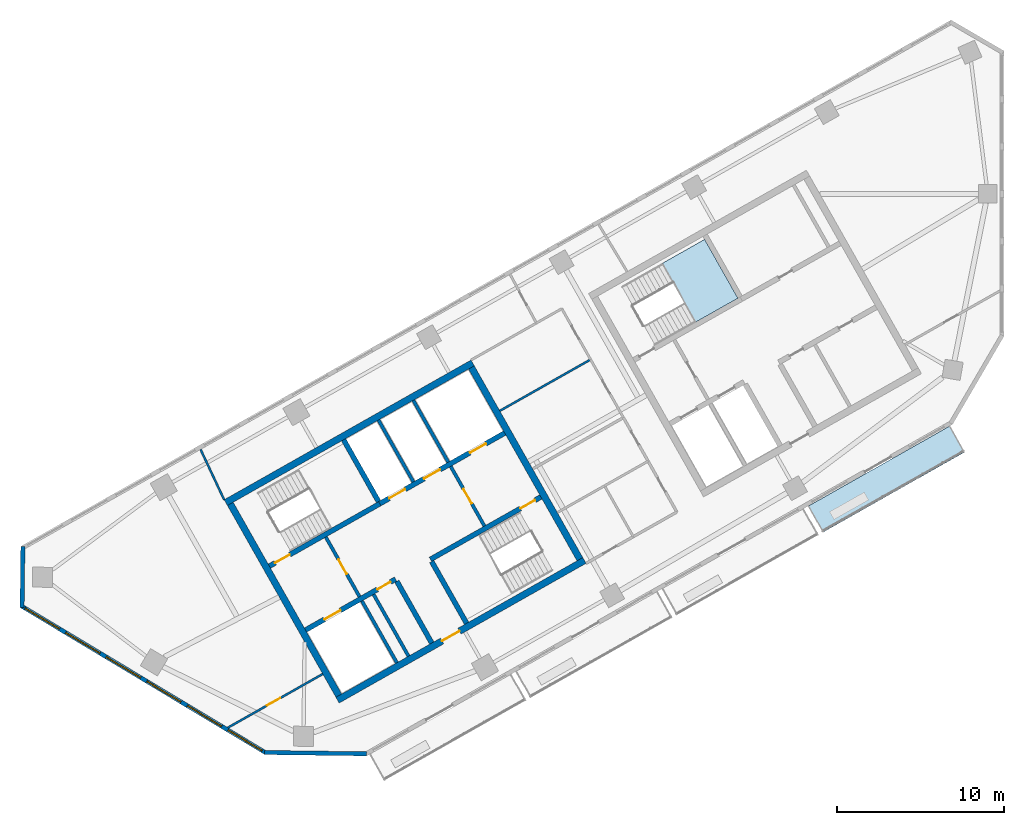
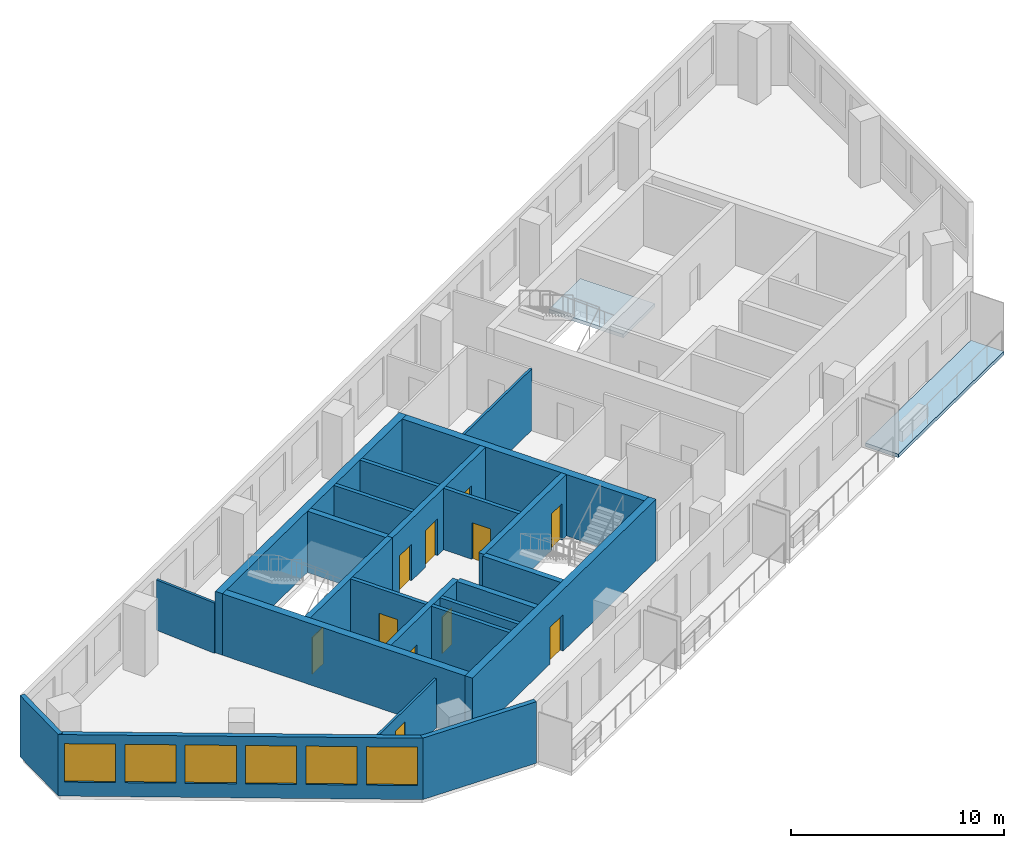
# One storey, part 2 of 7: 23 walls, 11 doors, 6 windows, 2 slabs, 17 openings, 1 element without a shape of its own.
"""IFC4 building model written with IfcOpenShell, lengths in metres."""

import ifcopenshell
import ifcopenshell.guid

model = None  # the IFC model being written
_history = None  # IfcOwnerHistory: only IFC2X3 demands one
_inside = {}  # id of a spatial element -> (the spatial element, [elements in it])
_under = {}  # id of a project, library or spatial element -> (it, [spatial elements below it])
_declared = {}  # id of a project -> (the project, [libraries it declares])
_typed = {}  # id of a type object -> (the type object, [elements of that type])
_made_of = {}  # id of a material, layer set ... -> (it, [elements and type objects made of it])


def new_model(schema):
    """Start an empty IFC model of exactly this schema.

    Asked for "IFC4X3", IfcOpenShell would pick the latest addendum, in which some entities
    have other attributes; the version numbers below select the first issue.
    IFC2X3 requires an IfcOwnerHistory on every rooted entity: one is made here for all.
    """
    global model, _history
    if schema == "IFC4X3":
        model = ifcopenshell.file(schema_version=(4, 3, 0, 0))
    else:
        model = ifcopenshell.file(schema=schema)
    _inside.clear()
    _under.clear()
    _declared.clear()
    _typed.clear()
    _made_of.clear()
    _history = None
    if model.schema == "IFC2X3":
        org = make("IfcOrganization", Name="unknown")
        user = make(
            "IfcPersonAndOrganization",
            ThePerson=make("IfcPerson", FamilyName="unknown"),
            TheOrganization=org,
        )
        app = make(
            "IfcApplication",
            ApplicationDeveloper=org,
            Version="unknown",
            ApplicationFullName="unknown",
            ApplicationIdentifier="unknown",
        )
        _history = make(
            "IfcOwnerHistory",
            OwningUser=user,
            OwningApplication=app,
            ChangeAction="ADDED",
            CreationDate=0,
        )
    return model


def make(cls, **values):
    """One entity of the class cls with the attributes given. An attribute that is None is left unset."""
    return model.create_entity(
        cls, **{name: value for name, value in values.items() if value is not None}
    )


def rooted(cls, **values):
    """An entity with a GlobalId (a new one), such as an element, a storey or a relation."""
    return make(cls, GlobalId=ifcopenshell.guid.new(), OwnerHistory=_history, **values)


def si_unit(unit_type, name, prefix=None):
    """IfcSIUnit, for example si_unit("LENGTHUNIT", "METRE", prefix="MILLI")."""
    return make("IfcSIUnit", UnitType=unit_type, Prefix=prefix, Name=name)


def assignment(units):
    """IfcUnitAssignment: the units of a project."""
    return None if units is None else make("IfcUnitAssignment", Units=units)


def point(xyz):
    """IfcCartesianPoint."""
    return None if xyz is None else make("IfcCartesianPoint", Coordinates=xyz)


def direction(xyz):
    """IfcDirection."""
    return None if xyz is None else make("IfcDirection", DirectionRatios=xyz)


def frame(location, z_axis=None, x_axis=None):
    """IfcAxis2Placement3D, a coordinate frame: its origin and axes. An axis left out is left unset."""
    return make(
        "IfcAxis2Placement3D",
        Location=point(location),
        Axis=direction(z_axis),
        RefDirection=direction(x_axis),
    )


def frame_2d(location, x_axis=None):
    """IfcAxis2Placement2D, a coordinate frame in the plane: its origin and x axis."""
    return make(
        "IfcAxis2Placement2D", Location=point(location), RefDirection=direction(x_axis)
    )


def origin():
    """The frame at (0, 0, 0) with its axes left unset."""
    return frame((0.0, 0.0, 0.0))


def place(relative_to, where):
    """IfcLocalPlacement: puts the frame where relative to a parent placement (None: the world)."""
    return make(
        "IfcLocalPlacement", PlacementRelTo=relative_to, RelativePlacement=where
    )


def context(
    kind, dimensions, precision=None, world=None, true_north=None, identifier=None
):
    """IfcGeometricRepresentationContext, for example the 3D "Model" context."""
    return make(
        "IfcGeometricRepresentationContext",
        ContextIdentifier=identifier,
        ContextType=kind,
        CoordinateSpaceDimension=dimensions,
        Precision=precision,
        WorldCoordinateSystem=world,
        TrueNorth=true_north,
    )


def subcontext(parent, identifier, kind, view, scale=None):
    """IfcGeometricRepresentationSubContext, for example "Body" below "Model"."""
    return make(
        "IfcGeometricRepresentationSubContext",
        ContextIdentifier=identifier,
        ContextType=kind,
        ParentContext=parent,
        TargetScale=scale,
        TargetView=view,
    )


def project(units=None, contexts=None):
    """IfcProject with its units and contexts."""
    return rooted(
        "IfcProject",
        Name="project",
        RepresentationContexts=contexts,
        UnitsInContext=assignment(units),
    )


def spatial(cls, under=None, at=None, **own):
    """A site, building, storey or space (cls), placed at a placement, below another one or the project."""
    s = rooted(cls, ObjectPlacement=at, **own)
    if under is not None:
        _under.setdefault(under.id(), (under, []))[1].append(s)
    return s


def polyline(points):
    """IfcPolyline through the points."""
    return make("IfcPolyline", Points=[point(p) for p in points])


def profile(cls, at=None, kind="AREA", **sizes):
    """A parametric profile (cls). Its sizes go by their IFC names, for example OverallWidth=200.0."""
    return make(cls, ProfileType=kind, Position=at, **sizes)


def rectangle(**sizes):
    """IfcRectangleProfileDef."""
    return profile("IfcRectangleProfileDef", **sizes)


def outline(outer, holes=None, kind="AREA"):
    """IfcArbitraryClosedProfileDef: a profile drawn as a closed curve; with holes, ...WithVoids."""
    if holes is None:
        return make("IfcArbitraryClosedProfileDef", ProfileType=kind, OuterCurve=outer)
    return make(
        "IfcArbitraryProfileDefWithVoids",
        ProfileType=kind,
        OuterCurve=outer,
        InnerCurves=holes,
    )


def extrude(swept, where, along, depth):
    """IfcExtrudedAreaSolid: the profile swept, set in the frame where, extruded along a direction by depth."""
    return make(
        "IfcExtrudedAreaSolid",
        SweptArea=swept,
        Position=where,
        ExtrudedDirection=direction(along),
        Depth=depth,
    )


def shape(context_of_items, identifier, shape_type, items):
    """IfcShapeRepresentation: the items that make up one representation, for example the "Body"."""
    return make(
        "IfcShapeRepresentation",
        ContextOfItems=context_of_items,
        RepresentationIdentifier=identifier,
        RepresentationType=shape_type,
        Items=items,
    )


def material(Name=None, Category=None):
    """IfcMaterial."""
    return make("IfcMaterial", Name=Name, Category=Category)


def layer(
    of_material, thickness, ventilated=None, Name=None, Category=None, Priority=None
):
    """IfcMaterialLayer: one layer of a wall or slab, of a material (None: an air gap)."""
    return make(
        "IfcMaterialLayer",
        Material=of_material,
        LayerThickness=thickness,
        IsVentilated=ventilated,
        Name=Name,
        Category=Category,
        Priority=Priority,
    )


def layer_set(layers, Name=None):
    """IfcMaterialLayerSet."""
    return make("IfcMaterialLayerSet", MaterialLayers=layers, LayerSetName=Name)


def made_of(thing, what):
    """Note that an element or type object is made of a material, layer set ...; save() writes the relation."""
    if what is not None:
        _made_of.setdefault(what.id(), (what, []))[1].append(thing)
    return thing


def type_object(cls, material=None, **own):
    """A type object (cls), such as IfcWallType, which elements share."""
    return made_of(rooted(cls, **own), material)


def element(
    cls,
    number,
    at=None,
    inside=None,
    cuts=None,
    type_object=None,
    material=None,
    context=None,
    identifier="Body",
    shape_type=None,
    held_by="IfcProductDefinitionShape",
    body=None,
    shapes=None,
    **own,
):
    """One element of the class cls, such as IfcWall. Its Tag is "e" and its number.

    at: its placement. inside: the storey or other place that contains it. cuts: it is an
    opening in that element (IfcRelVoidsElement). A single representation is given by context,
    identifier, shape_type and body (its items); several are given by shapes. held_by: the class
    of the entity that holds the representations. save() writes the other relations.
    """
    e = rooted(cls, Tag="e%d" % number, ObjectPlacement=at, **own)
    if body is not None:
        shapes = [shape(context, identifier, shape_type, body)]
    if shapes is not None:
        e.Representation = make(held_by, Representations=shapes)
    if inside is not None:
        _inside.setdefault(inside.id(), (inside, []))[1].append(e)
    if cuts is not None:
        rooted(
            "IfcRelVoidsElement", RelatingBuildingElement=cuts, RelatedOpeningElement=e
        )
    if type_object is not None:
        _typed.setdefault(type_object.id(), (type_object, []))[1].append(e)
    return made_of(e, material)


def fill(opening, filler):
    """IfcRelFillsElement: the door or window that sits in an opening."""
    return rooted(
        "IfcRelFillsElement",
        RelatingOpeningElement=opening,
        RelatedBuildingElement=filler,
    )


def aggregate(whole, parts):
    """IfcRelAggregates: a whole, such as a stair, and the parts it consists of."""
    return rooted("IfcRelAggregates", RelatingObject=whole, RelatedObjects=parts)


def save(model, path):
    """Write the relations noted so far, then the file.

    IfcRelAggregates (storeys below a building ...), IfcRelContainedInSpatialStructure (elements
    in a storey), IfcRelDefinesByType, IfcRelAssociatesMaterial and IfcRelDeclares: one each for
    every whole, place, type object, material and project.
    """
    for whole, parts in _under.values():
        aggregate(whole, parts)
    for where, things in _inside.values():
        rooted(
            "IfcRelContainedInSpatialStructure",
            RelatedElements=things,
            RelatingStructure=where,
        )
    for kind, things in _typed.values():
        rooted("IfcRelDefinesByType", RelatedObjects=things, RelatingType=kind)
    for what, things in _made_of.values():
        rooted("IfcRelAssociatesMaterial", RelatedObjects=things, RelatingMaterial=what)
    for by, libraries in _declared.values():
        rooted("IfcRelDeclares", RelatingContext=by, RelatedDefinitions=libraries)
    model.write(path)


model = new_model("IFC4")

# Units and contexts
model_context = context("Model", 3, precision=1e-05, world=origin(), true_north=direction((0.0, 1.0)))
body_context = subcontext(model_context, "Body", "Model", "MODEL_VIEW")
ifc_project = project(units=[si_unit("LENGTHUNIT", "METRE"), si_unit("AREAUNIT", "SQUARE_METRE"), si_unit("VOLUMEUNIT", "CUBIC_METRE"), si_unit("PLANEANGLEUNIT", "RADIAN"), si_unit("MASSUNIT", "GRAM", prefix="KILO")], contexts=[model_context])

# Site, building, storey
site_placement = place(None, origin())
site = spatial("IfcSite", under=ifc_project, at=site_placement, CompositionType="ELEMENT")
building_placement = place(site_placement, origin())
building = spatial("IfcBuilding", under=site, at=building_placement, Name="Binnacle Exchange Tower", CompositionType="ELEMENT")
storey_placement = place(building_placement, frame((0.0, 0.0, 266.5)))
storey = spatial("IfcBuildingStorey", under=building, at=storey_placement, Name="L59", CompositionType="ELEMENT", Elevation=266.5)

# Slab
ifc_material_1 = material(Name="Concrete C35/45", Category="concrete")
ifc_layer_1 = layer(ifc_material_1, 0.199951171875)
ifc_layer_set_1 = layer_set([ifc_layer_1], Name="BALCONY SLAB 200")
slab_type_1 = type_object("IfcSlabType", Name="BALCONY SLAB 200", PredefinedType="FLOOR", material=ifc_layer_set_1)
slab_1_placement = place(storey_placement, frame((0.0, 0.0, -0.199951171875)))
element("IfcSlab", 1, at=slab_1_placement, inside=storey, type_object=slab_type_1, Name="Balcony BA-H07-03 L59", PredefinedType="FLOOR", context=body_context, shape_type="SweptSolid", body=[
    extrude(outline(polyline([(-11.616943359375, 41.28369140625), (-3.115234375, 46.093994140625), (-2.22900390625, 44.527099609375), (-10.730712890625, 39.717041015625), (-11.616943359375, 41.28369140625)])), origin(), (0.0, 0.0, 1.0), 0.199951171875),
])

# Stair, slab
stair_type = type_object("IfcStairType", Name="STAIR 22 RISERS 173", PredefinedType="HALF_TURN_STAIR", material=ifc_material_1)
stair_placement = place(storey_placement, origin())
stair = element("IfcStair", 2, at=stair_placement, inside=storey, type_object=stair_type, Name="L59 Escape stair C1", PredefinedType="HALF_TURN_STAIR")
ifc_layer_2 = layer(ifc_material_1, 0.199951171875)
ifc_layer_set_2 = layer_set([ifc_layer_2], Name="STAIR LANDING 200")
slab_type_2 = type_object("IfcSlabType", Name="STAIR LANDING 200", PredefinedType="LANDING", material=ifc_layer_set_2)
slab_2_placement = place(storey_placement, frame((0.0, 0.0, 1.699951171875)))
slab_2 = element("IfcSlab", 3, at=slab_2_placement, type_object=slab_type_2, Name="STC1 landing 1", PredefinedType="LANDING", context=body_context, shape_type="SweptSolid", body=[
    extrude(outline(polyline([(-18.364013671875, 52.31005859375), (-15.822509765625, 53.748046875), (-17.81689453125, 57.27294921875), (-20.3583984375, 55.8349609375), (-18.364013671875, 52.31005859375)])), origin(), (0.0, 0.0, 1.0), 0.199951171875),
])
aggregate(stair, [slab_2])

# Wall, openings, doors
ifc_material_2 = material(Name="Concrete C70/85", Category="concrete")
ifc_layer_3 = layer(ifc_material_2, 0.300048828125)
ifc_layer_set_3 = layer_set([ifc_layer_3], Name="Core wall - front 300")
wall_type_1 = type_object("IfcWallType", Name="Core wall - front 300", PredefinedType="SOLIDWALL", material=ifc_layer_set_3)
wall_1_placement = place(storey_placement, frame((-41.72998046875, 33.862548828125, 0.0), z_axis=(0.0, 0.0, 1.0), x_axis=(0.870350800578, 0.492432212525, 0.0)))
wall_1 = element("IfcWall", 4, at=wall_1_placement, inside=storey, type_object=wall_type_1, Name="Core wall CRWA2", PredefinedType="SOLIDWALL", context=body_context, shape_type="SweptSolid", body=[
    extrude(rectangle(XDim=6.19970703125, YDim=0.300048828125, at=frame_2d((3.099853515625, 0.0))), origin(), (0.0, 0.0, 1.0), 3.52001953125),
])
opening_1_placement = place(wall_1_placement, frame((1.300048828125, 0.0, 0.0)))
opening_1 = element("IfcOpeningElement", 5, at=opening_1_placement, cuts=wall_1, Name="Opening LD12", PredefinedType="OPENING", context=body_context, shape_type="SweptSolid", body=[
    extrude(rectangle(XDim=1.10009765625, YDim=2.10009765625, at=frame_2d((0.550048828125, 1.050048828125))), frame((0.0, 0.159912109375, 0.0), z_axis=(0.0, -1.0, 0.0), x_axis=(1.0, 0.0, 0.0)), (0.0, 0.0, 1.0), 0.320068359375),
])
opening_2_placement = place(wall_1_placement, frame((4.949951171875, 0.0, 0.0)))
opening_2 = element("IfcOpeningElement", 6, at=opening_2_placement, cuts=wall_1, Name="Opening DA14", PredefinedType="OPENING", context=body_context, shape_type="SweptSolid", body=[
    extrude(rectangle(XDim=0.89990234375, YDim=2.10009765625, at=frame_2d((0.449951171875, 1.050048828125))), frame((0.0, 0.159912109375, 0.0), z_axis=(0.0, -1.0, 0.0), x_axis=(1.0, 0.0, 0.0)), (0.0, 0.0, 1.0), 0.320068359375),
])
ifc_material_3 = material(Name="Steel door leaf", Category="steel")
door_type_1 = type_object("IfcDoorType", Name="Fire door - lift landing 1100", OperationType="NOTDEFINED", PredefinedType="DOOR", material=ifc_material_3)
door_1_placement = place(opening_1_placement, origin())
door_1 = element("IfcDoor", 7, at=door_1_placement, inside=storey, type_object=door_type_1, Name="Landing door LD12 L59", OperationType="DOUBLE_DOOR_SLIDING", OverallHeight=2.10009765625, OverallWidth=1.10009765625, PredefinedType="DOOR", context=body_context, shape_type="SweptSolid", body=[
    extrude(rectangle(XDim=1.10009765625, YDim=2.10009765625, at=frame_2d((0.550048828125, 1.050048828125))), frame((0.0, 0.02490234375, 0.0), z_axis=(0.0, -1.0, 0.0), x_axis=(1.0, 0.0, 0.0)), (0.0, 0.0, 1.0), 0.050048828125),
])
fill(opening_1, door_1)
door_type_2 = type_object("IfcDoorType", Name="Fire door 900", OperationType="NOTDEFINED", PredefinedType="DOOR", material=ifc_material_3)
door_2_placement = place(opening_2_placement, frame((0.89990234375, 0.0, 0.0), z_axis=(0.0, 0.0, 1.0), x_axis=(-1.0, 0.0, 0.0)))
door_2 = element("IfcDoor", 8, at=door_2_placement, inside=storey, type_object=door_type_2, Name="Core room door CLEANERS STORE", OperationType="SINGLE_SWING_LEFT", OverallHeight=2.10009765625, OverallWidth=0.89990234375, PredefinedType="DOOR", context=body_context, shape_type="SweptSolid", body=[
    extrude(rectangle(XDim=0.89990234375, YDim=2.10009765625, at=frame_2d((0.449951171875, 1.050048828125))), frame((0.0, 0.02490234375, 0.0), z_axis=(0.0, -1.0, 0.0), x_axis=(1.0, 0.0, 0.0)), (0.0, 0.0, 1.0), 0.050048828125),
])
fill(opening_2, door_2)

wall_2_placement = place(storey_placement, frame((-37.281982421875, 41.4345703125, 0.0), z_axis=(0.0, 0.0, 1.0), x_axis=(0.870361315115, 0.492413628113, 0.0)))
wall_2 = element("IfcWall", 9, at=wall_2_placement, inside=storey, type_object=wall_type_1, Name="Core wall CRWA5", PredefinedType="SOLIDWALL", context=body_context, shape_type="SweptSolid", body=[
    extrude(rectangle(XDim=8.599609375, YDim=0.300048828125, at=frame_2d((4.2998046875, 0.0))), origin(), (0.0, 0.0, 1.0), 3.52001953125),
])
opening_3_placement = place(wall_2_placement, frame((0.650146484375, 0.0, 0.0)))
opening_3 = element("IfcOpeningElement", 10, at=opening_3_placement, cuts=wall_2, Name="Opening LD9", PredefinedType="OPENING", context=body_context, shape_type="SweptSolid", body=[
    extrude(rectangle(XDim=1.10009765625, YDim=2.10009765625, at=frame_2d((0.550048828125, 1.050048828125))), frame((0.0, 0.159912109375, 0.0), z_axis=(0.0, -1.0, 0.0), x_axis=(1.0, 0.0, 0.0)), (0.0, 0.0, 1.0), 0.320068359375),
])
opening_4_placement = place(wall_2_placement, frame((3.050048828125, 0.0, 0.0)))
opening_4 = element("IfcOpeningElement", 11, at=opening_4_placement, cuts=wall_2, Name="Opening LD10", PredefinedType="OPENING", context=body_context, shape_type="SweptSolid", body=[
    extrude(rectangle(XDim=1.10009765625, YDim=2.10009765625, at=frame_2d((0.550048828125, 1.050048828125))), frame((0.0, 0.159912109375, 0.0), z_axis=(0.0, -1.0, 0.0), x_axis=(1.0, 0.0, 0.0)), (0.0, 0.0, 1.0), 0.320068359375),
])
opening_5_placement = place(wall_2_placement, frame((6.199951171875, 0.0, 0.0)))
opening_5 = element("IfcOpeningElement", 12, at=opening_5_placement, cuts=wall_2, Name="Opening LD13", PredefinedType="OPENING", context=body_context, shape_type="SweptSolid", body=[
    extrude(rectangle(XDim=1.10009765625, YDim=2.10009765625, at=frame_2d((0.550048828125, 1.050048828125))), frame((0.0, 0.159912109375, 0.0), z_axis=(0.0, -1.0, 0.0), x_axis=(1.0, 0.0, 0.0)), (0.0, 0.0, 1.0), 0.320068359375),
])
door_3_placement = place(opening_3_placement, origin())
door_3 = element("IfcDoor", 13, at=door_3_placement, inside=storey, type_object=door_type_1, Name="Landing door LD9 L59", OperationType="DOUBLE_DOOR_SLIDING", OverallHeight=2.10009765625, OverallWidth=1.10009765625, PredefinedType="DOOR", context=body_context, shape_type="SweptSolid", body=[
    extrude(rectangle(XDim=1.10009765625, YDim=2.10009765625, at=frame_2d((0.550048828125, 1.050048828125))), frame((0.0, 0.02490234375, 0.0), z_axis=(0.0, -1.0, 0.0), x_axis=(1.0, 0.0, 0.0)), (0.0, 0.0, 1.0), 0.050048828125),
])
fill(opening_3, door_3)
door_4_placement = place(opening_4_placement, origin())
door_4 = element("IfcDoor", 14, at=door_4_placement, inside=storey, type_object=door_type_1, Name="Landing door LD10 L59", OperationType="DOUBLE_DOOR_SLIDING", OverallHeight=2.10009765625, OverallWidth=1.10009765625, PredefinedType="DOOR", context=body_context, shape_type="SweptSolid", body=[
    extrude(rectangle(XDim=1.10009765625, YDim=2.10009765625, at=frame_2d((0.550048828125, 1.050048828125))), frame((0.0, 0.02490234375, 0.0), z_axis=(0.0, -1.0, 0.0), x_axis=(1.0, 0.0, 0.0)), (0.0, 0.0, 1.0), 0.050048828125),
])
fill(opening_4, door_4)
door_5_placement = place(opening_5_placement, origin())
door_5 = element("IfcDoor", 15, at=door_5_placement, inside=storey, type_object=door_type_1, Name="Landing door LD13 L59", OperationType="DOUBLE_DOOR_SLIDING", OverallHeight=2.10009765625, OverallWidth=1.10009765625, PredefinedType="DOOR", context=body_context, shape_type="SweptSolid", body=[
    extrude(rectangle(XDim=1.10009765625, YDim=2.10009765625, at=frame_2d((0.550048828125, 1.050048828125))), frame((0.0, 0.02490234375, 0.0), z_axis=(0.0, -1.0, 0.0), x_axis=(1.0, 0.0, 0.0)), (0.0, 0.0, 1.0), 0.050048828125),
])
fill(opening_5, door_5)

# Wall
wall_3_placement = place(storey_placement, frame((-36.260009765625, 36.784912109375, 0.0), z_axis=(0.0, 0.0, 1.0), x_axis=(0.492422543467, -0.870356271124, 0.0)))
element("IfcWall", 16, at=wall_3_placement, inside=storey, type_object=wall_type_1, Name="Core wall CRWA13", PredefinedType="SOLIDWALL", context=body_context, shape_type="SweptSolid", body=[
    extrude(rectangle(XDim=4.25, YDim=0.300048828125, at=frame_2d((2.125, 0.0))), origin(), (0.0, 0.0, 1.0), 3.52001953125),
])

# Wall, opening, door
ifc_layer_4 = layer(ifc_material_2, 0.39990234375)
ifc_layer_set_4 = layer_set([ifc_layer_4], Name="Core wall - outer 400")
wall_type_2 = type_object("IfcWallType", Name="Core wall - outer 400", PredefinedType="SOLIDWALL", material=ifc_layer_set_4)
wall_4_placement = place(storey_placement, frame((-39.81298828125, 29.661865234375, 0.0), z_axis=(0.0, 0.0, 1.0), x_axis=(0.870350116061, 0.492433422375, 0.0)))
wall_4 = element("IfcWall", 17, at=wall_4_placement, inside=storey, type_object=wall_type_2, Name="Core wall CRWA1", PredefinedType="SOLIDWALL", context=body_context, shape_type="SweptSolid", body=[
    extrude(rectangle(XDim=17.0, YDim=0.39990234375, at=frame_2d((8.5, 0.0))), origin(), (0.0, 0.0, 1.0), 3.52001953125),
])
opening_6_placement = place(wall_4_placement, frame((7.199951171875, 0.0, 0.0)))
opening_6 = element("IfcOpeningElement", 18, at=opening_6_placement, cuts=wall_4, Name="Opening DA7", PredefinedType="OPENING", context=body_context, shape_type="SweptSolid", body=[
    extrude(rectangle(XDim=1.199951171875, YDim=2.10009765625, at=frame_2d((0.60009765625, 1.050048828125))), frame((0.0, 0.2099609375, 0.0), z_axis=(0.0, -1.0, 0.0), x_axis=(1.0, 0.0, 0.0)), (0.0, 0.0, 1.0), 0.419921875),
])
door_type_3 = type_object("IfcDoorType", Name="Fire door 1200", OperationType="NOTDEFINED", PredefinedType="DOOR", material=ifc_material_3)
door_6_placement = place(opening_6_placement, frame((1.199951171875, 0.0, 0.0), z_axis=(0.0, 0.0, 1.0), x_axis=(-1.0, 0.0, 0.0)))
door_6 = element("IfcDoor", 19, at=door_6_placement, inside=storey, type_object=door_type_3, Name="Lift lobby entrance door core A", OperationType="SINGLE_SWING_RIGHT", OverallHeight=2.10009765625, OverallWidth=1.199951171875, PredefinedType="DOOR", context=body_context, shape_type="SweptSolid", body=[
    extrude(rectangle(XDim=1.199951171875, YDim=2.10009765625, at=frame_2d((0.60009765625, 1.050048828125))), frame((0.0, 0.02490234375, 0.0), z_axis=(0.0, -1.0, 0.0), x_axis=(1.0, 0.0, 0.0)), (0.0, 0.0, 1.0), 0.050048828125),
])
fill(opening_6, door_6)

# Walls
wall_5_placement = place(storey_placement, frame((-46.510009765625, 41.498779296875, 0.0), z_axis=(0.0, 0.0, 1.0), x_axis=(0.870356271124, 0.492422543467, 0.0)))
element("IfcWall", 20, at=wall_5_placement, inside=storey, type_object=wall_type_2, Name="Core wall CRWA6", PredefinedType="SOLIDWALL", context=body_context, shape_type="SweptSolid", body=[
    extrude(rectangle(XDim=16.999755859375, YDim=0.39990234375, at=frame_2d((8.5, 0.0))), origin(), (0.0, 0.0, 1.0), 3.52001953125),
])
for number, where, z_axis, x_axis, name in (
    (21, (-46.237548828125, 41.423095703125, 0.0), (0.0, 0.0, 1.0), (0.492421663121, -0.870356769198, 0.0), "Core wall CRWA7"),
    (22, (-31.78955078125, 49.597412109375, 0.0), (0.0, 0.0, 1.0), (0.492421663121, -0.870356769198, 0.0), "Core wall CRWA22"),
):
    element("IfcWall", number, at=place(storey_placement, frame(where, z_axis=z_axis, x_axis=x_axis)), inside=storey, type_object=wall_type_2, Name=name, PredefinedType="SOLIDWALL", context=body_context, shape_type="SweptSolid", body=[
        extrude(rectangle(XDim=13.199951171875, YDim=0.39990234375, at=frame_2d((6.60009765625, 0.0))), origin(), (0.0, 0.0, 1.0), 3.52001953125),
    ])

# Wall, opening, door
ifc_layer_5 = layer(ifc_material_2, 0.300048828125)
ifc_layer_set_5 = layer_set([ifc_layer_5], Name="Core wall - stair 300")
wall_type_3 = type_object("IfcWallType", Name="Core wall - stair 300", PredefinedType="SOLIDWALL", material=ifc_layer_set_5)
wall_6_placement = place(storey_placement, frame((-34.2451171875, 38.097412109375, 0.0), z_axis=(0.0, 0.0, 1.0), x_axis=(0.870356351998, 0.492422400523, 0.0)))
wall_6 = element("IfcWall", 23, at=wall_6_placement, inside=storey, type_object=wall_type_3, Name="Core wall CRWA3", PredefinedType="SOLIDWALL", context=body_context, shape_type="SweptSolid", body=[
    extrude(rectangle(XDim=7.60009765625, YDim=0.300048828125, at=frame_2d((3.800048828125, 0.0))), origin(), (0.0, 0.0, 1.0), 3.52001953125),
])
opening_7_placement = place(wall_6_placement, frame((6.199951171875, 0.0, 0.0)))
opening_7 = element("IfcOpeningElement", 24, at=opening_7_placement, cuts=wall_6, Name="Opening DA2", PredefinedType="OPENING", context=body_context, shape_type="SweptSolid", body=[
    extrude(rectangle(XDim=1.0, YDim=2.10009765625, at=frame_2d((0.5, 1.050048828125))), frame((0.0, 0.159912109375, 0.0), z_axis=(0.0, -1.0, 0.0), x_axis=(1.0, 0.0, 0.0)), (0.0, 0.0, 1.0), 0.320068359375),
])
door_type_4 = type_object("IfcDoorType", Name="Fire door 1000", OperationType="NOTDEFINED", PredefinedType="DOOR", material=ifc_material_3)
door_7_placement = place(opening_7_placement, frame((1.0, 0.0, 0.0), z_axis=(0.0, 0.0, 1.0), x_axis=(-1.0, 0.0, 0.0)))
door_7 = element("IfcDoor", 25, at=door_7_placement, inside=storey, type_object=door_type_4, Name="Stair door ST-A2", OperationType="SINGLE_SWING_LEFT", OverallHeight=2.10009765625, OverallWidth=1.0, PredefinedType="DOOR", context=body_context, shape_type="SweptSolid", body=[
    extrude(rectangle(XDim=1.0, YDim=2.10009765625, at=frame_2d((0.5, 1.050048828125))), frame((0.0, 0.02490234375, 0.0), z_axis=(0.0, -1.0, 0.0), x_axis=(1.0, 0.0, 0.0)), (0.0, 0.0, 1.0), 0.050048828125),
])
fill(opening_7, door_7)

wall_7_placement = place(storey_placement, frame((-43.896728515625, 37.692138671875, 0.0), z_axis=(0.0, 0.0, 1.0), x_axis=(0.870356351998, 0.492422400523, 0.0)))
wall_7 = element("IfcWall", 26, at=wall_7_placement, inside=storey, type_object=wall_type_3, Name="Core wall CRWA4", PredefinedType="SOLIDWALL", context=body_context, shape_type="SweptSolid", body=[
    extrude(rectangle(XDim=7.60009765625, YDim=0.300048828125, at=frame_2d((3.800048828125, 0.0))), origin(), (0.0, 0.0, 1.0), 3.52001953125),
])
opening_8_placement = place(wall_7_placement, frame((0.39990234375, 0.0, 0.0)))
opening_8 = element("IfcOpeningElement", 27, at=opening_8_placement, cuts=wall_7, Name="Opening DA1", PredefinedType="OPENING", context=body_context, shape_type="SweptSolid", body=[
    extrude(rectangle(XDim=1.0, YDim=2.10009765625, at=frame_2d((0.5, 1.050048828125))), frame((0.0, 0.159912109375, 0.0), z_axis=(0.0, -1.0, 0.0), x_axis=(1.0, 0.0, 0.0)), (0.0, 0.0, 1.0), 0.320068359375),
])
door_8_placement = place(opening_8_placement, origin())
door_8 = element("IfcDoor", 28, at=door_8_placement, inside=storey, type_object=door_type_4, Name="Stair door ST-A1", OperationType="SINGLE_SWING_LEFT", OverallHeight=2.10009765625, OverallWidth=1.0, PredefinedType="DOOR", context=body_context, shape_type="SweptSolid", body=[
    extrude(rectangle(XDim=1.0, YDim=2.10009765625, at=frame_2d((0.5, 1.050048828125))), frame((0.0, 0.02490234375, 0.0), z_axis=(0.0, -1.0, 0.0), x_axis=(1.0, 0.0, 0.0)), (0.0, 0.0, 1.0), 0.050048828125),
])
fill(opening_8, door_8)

# Walls
for number, where, z_axis, x_axis, name in (
    (29, (-39.44873046875, 45.263916015625, 0.0), (0.0, 0.0, 1.0), (0.492422543467, -0.870356271124, 0.0), "Core wall CRWA14"),
    (30, (-34.171142578125, 37.966796875, 0.0), (0.0, 0.0, 1.0), (0.492422543467, -0.870356271124, 0.0), "Core wall CRWA16"),
):
    element("IfcWall", number, at=place(storey_placement, frame(where, z_axis=z_axis, x_axis=x_axis)), inside=storey, type_object=wall_type_3, Name=name, PredefinedType="SOLIDWALL", context=body_context, shape_type="SweptSolid", body=[
        extrude(rectangle(XDim=4.25, YDim=0.300048828125, at=frame_2d((2.125, 0.0))), origin(), (0.0, 0.0, 1.0), 3.52001953125),
    ])
ifc_material_4 = material(Name="Bronze aluminium cladding", Category="aluminium")
ifc_layer_6 = layer(ifc_material_4, 0.25)
ifc_layer_set_6 = layer_set([ifc_layer_6], Name="External wall - window wall 250")
wall_type_4 = type_object("IfcWallType", Name="External wall - window wall 250", PredefinedType="STANDARD", material=ifc_layer_set_6)
wall_8_placement = place(storey_placement, frame((-58.717041015625, 35.208251953125, 0.0), z_axis=(0.0, 0.0, 1.0), x_axis=(0.01310512158, 0.999914124207, 0.0)))
element("IfcWall", 31, at=wall_8_placement, inside=storey, type_object=wall_type_4, Name="External wall EW-H04 L59", PredefinedType="STANDARD", context=body_context, shape_type="SweptSolid", body=[
    extrude(rectangle(XDim=3.669921875, YDim=0.25, at=frame_2d((1.8349609375, 0.0))), origin(), (0.0, 0.0, 1.0), 3.52001953125),
])

# Wall, openings, windows
wall_9_placement = place(storey_placement, frame((-44.115234375, 26.507080078125, 0.0), z_axis=(0.0, 0.0, 1.0), x_axis=(-0.857166583633, 0.515039268311, 0.0)))
wall_9 = element("IfcWall", 32, at=wall_9_placement, inside=storey, type_object=wall_type_4, Name="External wall EW-H05 L59", PredefinedType="STANDARD", context=body_context, shape_type="SweptSolid", body=[
    extrude(rectangle(XDim=17.105712890625, YDim=0.25, at=frame_2d((8.552734375, 0.0))), origin(), (0.0, 0.0, 1.0), 3.52001953125),
])
opening_9_placement = place(wall_9_placement, frame((14.4169921875, 0.0, 0.800048828125)))
opening_9 = element("IfcOpeningElement", 33, at=opening_9_placement, cuts=wall_9, Name="Opening WR2", PredefinedType="OPENING", context=body_context, shape_type="SweptSolid", body=[
    extrude(rectangle(XDim=2.39990234375, YDim=2.199951171875, at=frame_2d((1.199951171875, 1.10009765625))), frame((0.0, 0.135009765625, 0.0), z_axis=(0.0, -1.0, 0.0), x_axis=(1.0, 0.0, 0.0)), (0.0, 0.0, 1.0), 0.27001953125),
])
opening_10_placement = place(wall_9_placement, frame((11.583740234375, 0.0, 0.800048828125)))
opening_10 = element("IfcOpeningElement", 34, at=opening_10_placement, cuts=wall_9, Name="Opening WR2", PredefinedType="OPENING", context=body_context, shape_type="SweptSolid", body=[
    extrude(rectangle(XDim=2.39990234375, YDim=2.199951171875, at=frame_2d((1.199951171875, 1.10009765625))), frame((0.0, 0.135009765625, 0.0), z_axis=(0.0, -1.0, 0.0), x_axis=(1.0, 0.0, 0.0)), (0.0, 0.0, 1.0), 0.27001953125),
])
opening_11_placement = place(wall_9_placement, frame((8.75048828125, 0.0, 0.800048828125)))
opening_11 = element("IfcOpeningElement", 35, at=opening_11_placement, cuts=wall_9, Name="Opening WR2", PredefinedType="OPENING", context=body_context, shape_type="SweptSolid", body=[
    extrude(rectangle(XDim=2.39990234375, YDim=2.199951171875, at=frame_2d((1.199951171875, 1.10009765625))), frame((0.0, 0.135009765625, 0.0), z_axis=(0.0, -1.0, 0.0), x_axis=(1.0, 0.0, 0.0)), (0.0, 0.0, 1.0), 0.27001953125),
])
opening_12_placement = place(wall_9_placement, frame((5.9169921875, 0.0, 0.800048828125)))
opening_12 = element("IfcOpeningElement", 36, at=opening_12_placement, cuts=wall_9, Name="Opening WR2", PredefinedType="OPENING", context=body_context, shape_type="SweptSolid", body=[
    extrude(rectangle(XDim=2.39990234375, YDim=2.199951171875, at=frame_2d((1.199951171875, 1.10009765625))), frame((0.0, 0.135009765625, 0.0), z_axis=(0.0, -1.0, 0.0), x_axis=(1.0, 0.0, 0.0)), (0.0, 0.0, 1.0), 0.27001953125),
])
opening_13_placement = place(wall_9_placement, frame((3.083740234375, 0.0, 0.800048828125)))
opening_13 = element("IfcOpeningElement", 37, at=opening_13_placement, cuts=wall_9, Name="Opening WR2", PredefinedType="OPENING", context=body_context, shape_type="SweptSolid", body=[
    extrude(rectangle(XDim=2.39990234375, YDim=2.199951171875, at=frame_2d((1.199951171875, 1.10009765625))), frame((0.0, 0.135009765625, 0.0), z_axis=(0.0, -1.0, 0.0), x_axis=(1.0, 0.0, 0.0)), (0.0, 0.0, 1.0), 0.27001953125),
])
opening_14_placement = place(wall_9_placement, frame((0.25048828125, 0.0, 0.800048828125)))
opening_14 = element("IfcOpeningElement", 38, at=opening_14_placement, cuts=wall_9, Name="Opening WR2", PredefinedType="OPENING", context=body_context, shape_type="SweptSolid", body=[
    extrude(rectangle(XDim=2.39990234375, YDim=2.199951171875, at=frame_2d((1.199951171875, 1.10009765625))), frame((0.0, 0.135009765625, 0.0), z_axis=(0.0, -1.0, 0.0), x_axis=(1.0, 0.0, 0.0)), (0.0, 0.0, 1.0), 0.27001953125),
])
ifc_material_5 = material(Name="Bronze anodised aluminium frame", Category="aluminium")
window_type = type_object("IfcWindowType", Name="WR2 WINDOW 2400x2200", PartitioningType="SINGLE_PANEL", PredefinedType="WINDOW", material=ifc_material_5)
window_1_placement = place(opening_9_placement, origin())
window_1 = element("IfcWindow", 39, at=window_1_placement, inside=storey, type_object=window_type, Name="Window WR2 L59", OverallHeight=2.199951171875, OverallWidth=2.39990234375, PartitioningType="SINGLE_PANEL", PredefinedType="WINDOW", context=body_context, shape_type="SweptSolid", body=[
    extrude(rectangle(XDim=2.39990234375, YDim=2.199951171875, at=frame_2d((1.199951171875, 1.10009765625))), frame((0.0, 0.030029296875, 0.0), z_axis=(0.0, -1.0, 0.0), x_axis=(1.0, 0.0, 0.0)), (0.0, 0.0, 1.0), 0.06005859375),
])
fill(opening_9, window_1)
window_2_placement = place(opening_10_placement, origin())
window_2 = element("IfcWindow", 40, at=window_2_placement, inside=storey, type_object=window_type, Name="Window WR2 L59", OverallHeight=2.199951171875, OverallWidth=2.39990234375, PartitioningType="SINGLE_PANEL", PredefinedType="WINDOW", context=body_context, shape_type="SweptSolid", body=[
    extrude(rectangle(XDim=2.39990234375, YDim=2.199951171875, at=frame_2d((1.199951171875, 1.10009765625))), frame((0.0, 0.030029296875, 0.0), z_axis=(0.0, -1.0, 0.0), x_axis=(1.0, 0.0, 0.0)), (0.0, 0.0, 1.0), 0.06005859375),
])
fill(opening_10, window_2)
window_3_placement = place(opening_11_placement, origin())
window_3 = element("IfcWindow", 41, at=window_3_placement, inside=storey, type_object=window_type, Name="Window WR2 L59", OverallHeight=2.199951171875, OverallWidth=2.39990234375, PartitioningType="SINGLE_PANEL", PredefinedType="WINDOW", context=body_context, shape_type="SweptSolid", body=[
    extrude(rectangle(XDim=2.39990234375, YDim=2.199951171875, at=frame_2d((1.199951171875, 1.10009765625))), frame((0.0, 0.030029296875, 0.0), z_axis=(0.0, -1.0, 0.0), x_axis=(1.0, 0.0, 0.0)), (0.0, 0.0, 1.0), 0.06005859375),
])
fill(opening_11, window_3)
window_4_placement = place(opening_12_placement, origin())
window_4 = element("IfcWindow", 42, at=window_4_placement, inside=storey, type_object=window_type, Name="Window WR2 L59", OverallHeight=2.199951171875, OverallWidth=2.39990234375, PartitioningType="SINGLE_PANEL", PredefinedType="WINDOW", context=body_context, shape_type="SweptSolid", body=[
    extrude(rectangle(XDim=2.39990234375, YDim=2.199951171875, at=frame_2d((1.199951171875, 1.10009765625))), frame((0.0, 0.030029296875, 0.0), z_axis=(0.0, -1.0, 0.0), x_axis=(1.0, 0.0, 0.0)), (0.0, 0.0, 1.0), 0.06005859375),
])
fill(opening_12, window_4)
window_5_placement = place(opening_13_placement, origin())
window_5 = element("IfcWindow", 43, at=window_5_placement, inside=storey, type_object=window_type, Name="Window WR2 L59", OverallHeight=2.199951171875, OverallWidth=2.39990234375, PartitioningType="SINGLE_PANEL", PredefinedType="WINDOW", context=body_context, shape_type="SweptSolid", body=[
    extrude(rectangle(XDim=2.39990234375, YDim=2.199951171875, at=frame_2d((1.199951171875, 1.10009765625))), frame((0.0, 0.030029296875, 0.0), z_axis=(0.0, -1.0, 0.0), x_axis=(1.0, 0.0, 0.0)), (0.0, 0.0, 1.0), 0.06005859375),
])
fill(opening_13, window_5)
window_6_placement = place(opening_14_placement, origin())
window_6 = element("IfcWindow", 44, at=window_6_placement, inside=storey, type_object=window_type, Name="Window WR2 L59", OverallHeight=2.199951171875, OverallWidth=2.39990234375, PartitioningType="SINGLE_PANEL", PredefinedType="WINDOW", context=body_context, shape_type="SweptSolid", body=[
    extrude(rectangle(XDim=2.39990234375, YDim=2.199951171875, at=frame_2d((1.199951171875, 1.10009765625))), frame((0.0, 0.030029296875, 0.0), z_axis=(0.0, -1.0, 0.0), x_axis=(1.0, 0.0, 0.0)), (0.0, 0.0, 1.0), 0.06005859375),
])
fill(opening_14, window_6)

# Wall
wall_10_placement = place(storey_placement, frame((-38.06396484375, 26.44482421875, 0.0), z_axis=(0.0, 0.0, 1.0), x_axis=(-0.999914239143, 0.013096349097, 0.0)))
element("IfcWall", 45, at=wall_10_placement, inside=storey, type_object=wall_type_4, Name="External wall EW-H06 L59", PredefinedType="STANDARD", context=body_context, shape_type="SweptSolid", body=[
    extrude(rectangle(XDim=6.114501953125, YDim=0.25, at=frame_2d((3.05712890625, 0.0))), origin(), (0.0, 0.0, 1.0), 3.52001953125),
])

# Wall, opening, door
ifc_material_6 = material(Name="Masonry block wall", Category="masonry")
ifc_layer_7 = layer(ifc_material_6, 0.199951171875)
ifc_layer_set_7 = layer_set([ifc_layer_7], Name="Fire wall - vestibule 200")
wall_type_5 = type_object("IfcWallType", Name="Fire wall - vestibule 200", PredefinedType="PARTITIONING", material=ifc_layer_set_7)
wall_11_placement = place(storey_placement, frame((-40.515625, 39.4326171875, 0.0), z_axis=(0.0, 0.0, 1.0), x_axis=(0.492453559952, -0.87033872216, 0.0)))
wall_11 = element("IfcWall", 46, at=wall_11_placement, inside=storey, type_object=wall_type_5, Name="Core wall CRWA10", PredefinedType="PARTITIONING", context=body_context, shape_type="SweptSolid", body=[
    extrude(rectangle(XDim=4.099853515625, YDim=0.199951171875, at=frame_2d((2.0498046875, 0.0))), origin(), (0.0, 0.0, 1.0), 3.52001953125),
])
opening_15_placement = place(wall_11_placement, frame((1.550048828125, 0.0, 0.0)))
opening_15 = element("IfcOpeningElement", 47, at=opening_15_placement, cuts=wall_11, Name="Opening DA3", PredefinedType="OPENING", context=body_context, shape_type="SweptSolid", body=[
    extrude(rectangle(XDim=1.0, YDim=2.10009765625, at=frame_2d((0.5, 1.050048828125))), frame((0.0, 0.10986328125, 0.0), z_axis=(0.0, -1.0, 0.0), x_axis=(1.0, 0.0, 0.0)), (0.0, 0.0, 1.0), 0.219970703125),
])
door_9_placement = place(opening_15_placement, frame((1.0, 0.0, 0.0), z_axis=(0.0, 0.0, 1.0), x_axis=(-1.0, 0.0, 0.0)))
door_9 = element("IfcDoor", 48, at=door_9_placement, inside=storey, type_object=door_type_4, Name="Vestibule door VEST-W", OperationType="SINGLE_SWING_LEFT", OverallHeight=2.10009765625, OverallWidth=1.0, PredefinedType="DOOR", context=body_context, shape_type="SweptSolid", body=[
    extrude(rectangle(XDim=1.0, YDim=2.10009765625, at=frame_2d((0.5, 1.050048828125))), frame((0.0, 0.02490234375, 0.0), z_axis=(0.0, -1.0, 0.0), x_axis=(1.0, 0.0, 0.0)), (0.0, 0.0, 1.0), 0.050048828125),
])
fill(opening_15, door_9)

wall_12_placement = place(storey_placement, frame((-33.030517578125, 43.66748046875, 0.0), z_axis=(0.0, 0.0, 1.0), x_axis=(0.492408451753, -0.87036424366, 0.0)))
wall_12 = element("IfcWall", 49, at=wall_12_placement, inside=storey, type_object=wall_type_5, Name="Core wall CRWA19", PredefinedType="PARTITIONING", context=body_context, shape_type="SweptSolid", body=[
    extrude(rectangle(XDim=4.099853515625, YDim=0.199951171875, at=frame_2d((2.0498046875, 0.0))), origin(), (0.0, 0.0, 1.0), 3.52001953125),
])
opening_16_placement = place(wall_12_placement, frame((1.550048828125, 0.0, 0.0)))
opening_16 = element("IfcOpeningElement", 50, at=opening_16_placement, cuts=wall_12, Name="Opening DA4", PredefinedType="OPENING", context=body_context, shape_type="SweptSolid", body=[
    extrude(rectangle(XDim=1.0, YDim=2.10009765625, at=frame_2d((0.5, 1.050048828125))), frame((0.0, 0.10986328125, 0.0), z_axis=(0.0, -1.0, 0.0), x_axis=(1.0, 0.0, 0.0)), (0.0, 0.0, 1.0), 0.219970703125),
])
door_10_placement = place(opening_16_placement, origin())
door_10 = element("IfcDoor", 51, at=door_10_placement, inside=storey, type_object=door_type_4, Name="Vestibule door VEST-E", OperationType="SINGLE_SWING_RIGHT", OverallHeight=2.10009765625, OverallWidth=1.0, PredefinedType="DOOR", context=body_context, shape_type="SweptSolid", body=[
    extrude(rectangle(XDim=1.0, YDim=2.10009765625, at=frame_2d((0.5, 1.050048828125))), frame((0.0, 0.02490234375, 0.0), z_axis=(0.0, -1.0, 0.0), x_axis=(1.0, 0.0, 0.0)), (0.0, 0.0, 1.0), 0.050048828125),
])
fill(opening_16, door_10)

# Wall
ifc_material_7 = material(Name="Gypsum partition")
ifc_layer_8 = layer(ifc_material_7, 0.125)
ifc_layer_set_8 = layer_set([ifc_layer_8], Name="Partition 125")
wall_type_6 = type_object("IfcWallType", Name="Partition 125", PredefinedType="PARTITIONING", material=ifc_layer_set_8)
wall_13_placement = place(storey_placement, frame((-48.02197265625, 44.68701171875, 0.0), z_axis=(0.0, 0.0, 1.0), x_axis=(0.424510917438, -0.905422818895, 0.0)))
element("IfcWall", 52, at=wall_13_placement, inside=storey, type_object=wall_type_6, Name="Partition W01", PredefinedType="PARTITIONING", context=body_context, shape_type="SweptSolid", body=[
    extrude(rectangle(XDim=3.328857421875, YDim=0.125, at=frame_2d((1.66455078125, 0.0))), origin(), (0.0, 0.0, 1.0), 2.887939453125),
])

# Wall, opening, door
wall_14_placement = place(storey_placement, frame((-46.381103515625, 28.014892578125, 0.0), z_axis=(0.0, 0.0, 1.0), x_axis=(0.870364232693, 0.492408471139, 0.0)))
wall_14 = element("IfcWall", 53, at=wall_14_placement, inside=storey, type_object=wall_type_6, Name="Partition W02", PredefinedType="PARTITIONING", context=body_context, shape_type="SweptSolid", body=[
    extrude(rectangle(XDim=6.52734375, YDim=0.125, at=frame_2d((3.263671875, 0.0))), origin(), (0.0, 0.0, 1.0), 2.800048828125),
])
opening_17_placement = place(wall_14_placement, frame((2.699951171875, 0.0, 0.0)))
opening_17 = element("IfcOpeningElement", 54, at=opening_17_placement, cuts=wall_14, Name="Opening DL58-01", PredefinedType="OPENING", context=body_context, shape_type="SweptSolid", body=[
    extrude(rectangle(XDim=0.89990234375, YDim=2.10009765625, at=frame_2d((0.449951171875, 1.050048828125))), frame((0.0, 0.072509765625, 0.0), z_axis=(0.0, -1.0, 0.0), x_axis=(1.0, 0.0, 0.0)), (0.0, 0.0, 1.0), 0.14501953125),
])
ifc_material_8 = material(Name="Timber door leaf", Category="wood")
door_type_5 = type_object("IfcDoorType", Name="Door 900", OperationType="NOTDEFINED", PredefinedType="DOOR", material=ifc_material_8)
door_11_placement = place(opening_17_placement, origin())
door_11 = element("IfcDoor", 55, at=door_11_placement, inside=storey, type_object=door_type_5, Name="Door DL58-01", OperationType="SINGLE_SWING_LEFT", OverallHeight=2.10009765625, OverallWidth=0.89990234375, PredefinedType="DOOR", context=body_context, shape_type="SweptSolid", body=[
    extrude(rectangle(XDim=0.89990234375, YDim=2.10009765625, at=frame_2d((0.449951171875, 1.050048828125))), frame((0.0, 0.02490234375, 0.0), z_axis=(0.0, -1.0, 0.0), x_axis=(1.0, 0.0, 0.0)), (0.0, 0.0, 1.0), 0.050048828125),
])
fill(opening_17, door_11)

# Walls
wall_15_placement = place(storey_placement, frame((-30.089111328125, 46.998046875, 0.0), z_axis=(0.0, 0.0, 1.0), x_axis=(0.870424575418, 0.492301796167, 0.0)))
element("IfcWall", 56, at=wall_15_placement, inside=storey, type_object=wall_type_6, Name="Partition W04", PredefinedType="PARTITIONING", context=body_context, shape_type="SweptSolid", body=[
    extrude(rectangle(XDim=6.25, YDim=0.125, at=frame_2d((3.125, 0.0))), origin(), (0.0, 0.0, 1.0), 3.52001953125),
])
ifc_layer_9 = layer(ifc_material_6, 0.199951171875)
ifc_layer_set_9 = layer_set([ifc_layer_9], Name="Riser wall 200")
wall_type_7 = type_object("IfcWallType", Name="Riser wall 200", PredefinedType="SOLIDWALL", material=ifc_layer_set_9)
wall_16_placement = place(storey_placement, frame((-38.348876953125, 35.603271484375, 0.0), z_axis=(0.0, 0.0, 1.0), x_axis=(0.492397924348, -0.870370199454, 0.0)))
element("IfcWall", 57, at=wall_16_placement, inside=storey, type_object=wall_type_7, Name="Core wall CRWA8", PredefinedType="SOLIDWALL", context=body_context, shape_type="SweptSolid", body=[
    extrude(rectangle(XDim=4.250244140625, YDim=0.199951171875, at=frame_2d((2.125, 0.0))), origin(), (0.0, 0.0, 1.0), 3.52001953125),
])
wall_17_placement = place(storey_placement, frame((-37.652587890625, 35.9970703125, 0.0), z_axis=(0.0, 0.0, 1.0), x_axis=(0.492422543467, -0.870356271124, 0.0)))
element("IfcWall", 58, at=wall_17_placement, inside=storey, type_object=wall_type_7, Name="Core wall CRWA11", PredefinedType="SOLIDWALL", context=body_context, shape_type="SweptSolid", body=[
    extrude(rectangle(XDim=4.25, YDim=0.199951171875, at=frame_2d((2.125, 0.0))), origin(), (0.0, 0.0, 1.0), 3.52001953125),
])
ifc_layer_10 = layer(ifc_material_6, 0.199951171875)
ifc_layer_set_10 = layer_set([ifc_layer_10], Name="Shaft wall 200")
wall_type_8 = type_object("IfcWallType", Name="Shaft wall 200", PredefinedType="SOLIDWALL", material=ifc_layer_set_10)
for number, where, z_axis, x_axis, name in (
    (59, (-37.35986328125, 46.44580078125, 0.0), (0.0, 0.0, 1.0), (0.492422543467, -0.870356271124, 0.0), "Core wall CRWA17"),
    (60, (-35.27099609375, 47.627685546875, 0.0), (0.0, 0.0, 1.0), (0.492422543467, -0.870356271124, 0.0), "Core wall CRWA21"),
):
    element("IfcWall", number, at=place(storey_placement, frame(where, z_axis=z_axis, x_axis=x_axis)), inside=storey, type_object=wall_type_8, Name=name, PredefinedType="SOLIDWALL", context=body_context, shape_type="SweptSolid", body=[
        extrude(rectangle(XDim=4.25, YDim=0.199951171875, at=frame_2d((2.125, 0.0))), origin(), (0.0, 0.0, 1.0), 3.52001953125),
    ])

save(model, "model.ifc")
